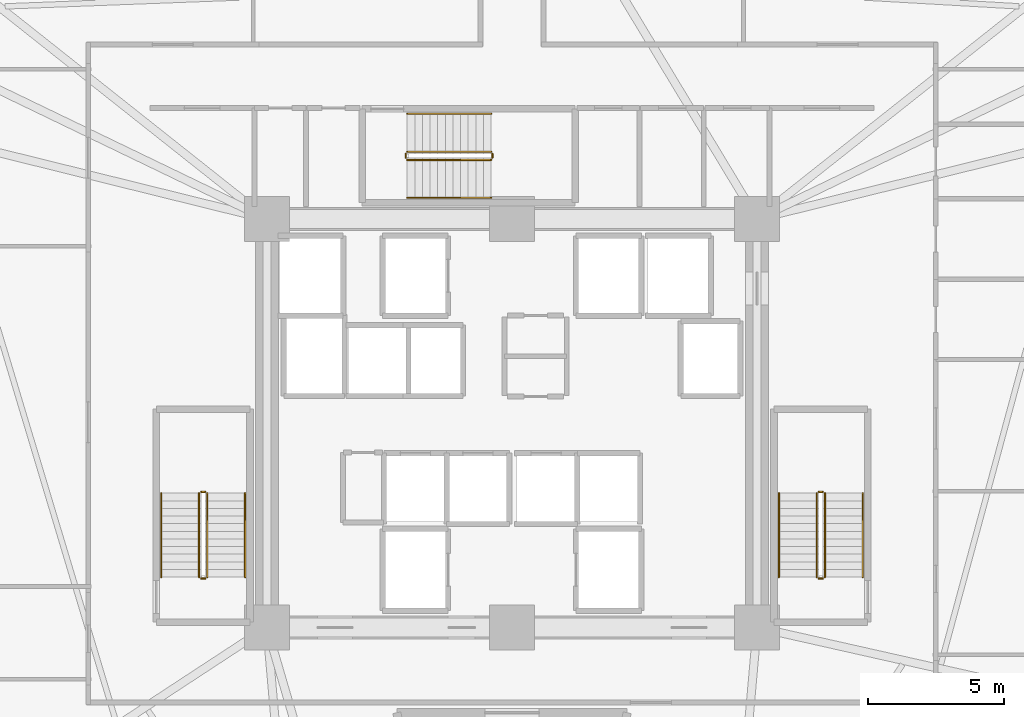
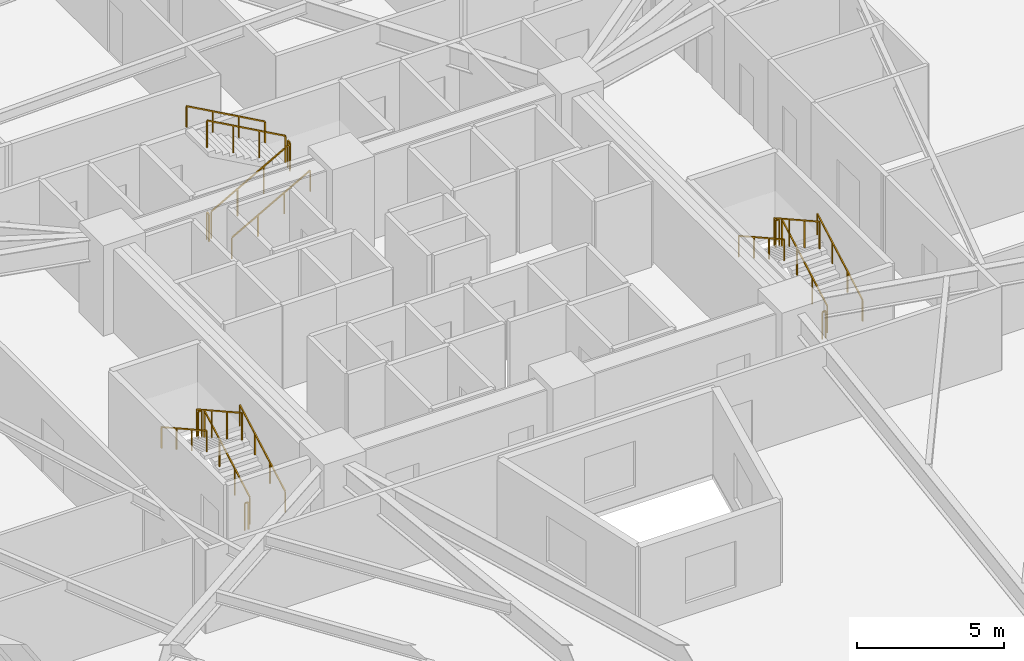
# One storey, part 8 of 8: 18 railings.
"""IFC4 building model written with IfcOpenShell, lengths in metres."""

from ifc_helpers import new_model, si_unit, direction, frame, origin, origin_2d, place, context, subcontext, project, spatial, rectangle, extrude, material, type_object, element, save


model = new_model("IFC4")

# Units and contexts
model_context = context("Model", 3, precision=1e-05, world=origin(), true_north=direction((0.0, 1.0)))
body_context = subcontext(model_context, "Body", "Model", "MODEL_VIEW")
ifc_project = project(units=[si_unit("LENGTHUNIT", "METRE"), si_unit("AREAUNIT", "SQUARE_METRE"), si_unit("VOLUMEUNIT", "CUBIC_METRE"), si_unit("PLANEANGLEUNIT", "RADIAN"), si_unit("MASSUNIT", "GRAM", prefix="KILO")], contexts=[model_context])

# Site, building, storey
site_placement = place(None, origin())
site = spatial("IfcSite", under=ifc_project, at=site_placement, CompositionType="ELEMENT")
building_placement = place(site_placement, origin())
building = spatial("IfcBuilding", under=site, at=building_placement, Name="Liaohun Quay Tower", CompositionType="ELEMENT")
storey_placement = place(building_placement, frame((0.0, 0.0, 89.25)))
storey = spatial("IfcBuildingStorey", under=building, at=storey_placement, Name="L23", CompositionType="ELEMENT", Elevation=89.25)

# Railings
ifc_material_1 = material(Name="Painted tubular steel", Category="steel")
railing_type_1 = type_object("IfcRailingType", Name="RLG-GUARD-STR", PredefinedType="GUARDRAIL", material=ifc_material_1)
railing_1_placement = place(storey_placement, frame((48.81005859375, 48.35009765625, 0.15625)))
element("IfcRailing", 1, at=railing_1_placement, inside=storey, type_object=railing_type_1, Name="L23 ST-1 stair guard 1", PredefinedType="GUARDRAIL", context=body_context, shape_type="SweptSolid", body=[
    extrude(rectangle(XDim=0.048095703125, YDim=0.048095703125, at=origin_2d()), frame((0.0, 0.0, 1.1259765625), z_axis=(0.0, 0.873225103656, 0.487317061414), x_axis=(-1.0, 0.0, 0.0)), (0.0, 0.0, 1.0), 3.52685546875),
    extrude(rectangle(XDim=0.0419921875, YDim=0.0419921875, at=origin_2d()), origin(), (0.0, 0.0, 1.0), 1.101806640625),
    extrude(rectangle(XDim=0.0419921875, YDim=0.0419921875, at=origin_2d()), frame((0.0, 1.026611328125, 0.572998046875)), (0.0, 0.0, 1.0), 1.101806640625),
    extrude(rectangle(XDim=0.0419921875, YDim=0.0419921875, at=origin_2d()), frame((0.0, 2.05322265625, 1.145751953125)), (0.0, 0.0, 1.0), 1.101806640625),
    extrude(rectangle(XDim=0.0419921875, YDim=0.0419921875, at=origin_2d()), frame((0.0, 3.079833984375, 1.71875)), (0.0, 0.0, 1.0), 1.101806640625),
])
railing_2_placement = place(storey_placement, frame((48.72998046875, 51.47998046875, 1.875)))
element("IfcRailing", 2, at=railing_2_placement, inside=storey, type_object=railing_type_1, Name="L23 ST-1 stair guard 2", PredefinedType="GUARDRAIL", context=body_context, shape_type="SweptSolid", body=[
    extrude(rectangle(XDim=0.048095703125, YDim=0.048095703125, at=origin_2d()), frame((0.0, 0.0, 1.1259765625), z_axis=(-1.0, 0.0, 0.0), x_axis=(0.0, -1.0, 0.0)), (0.0, 0.0, 1.0), 0.139892578125),
    extrude(rectangle(XDim=0.0419921875, YDim=0.0419921875, at=origin_2d()), origin(), (0.0, 0.0, 1.0), 1.101806640625),
    extrude(rectangle(XDim=0.0419921875, YDim=0.0419921875, at=origin_2d()), frame((-0.139892578125, 0.0, 0.0)), (0.0, 0.0, 1.0), 1.101806640625),
])
railing_3_placement = place(storey_placement, frame((48.510009765625, 51.429931640625, 2.03125)))
element("IfcRailing", 3, at=railing_3_placement, inside=storey, type_object=railing_type_1, Name="L23 ST-1 stair guard 3", PredefinedType="GUARDRAIL", context=body_context, shape_type="SweptSolid", body=[
    extrude(rectangle(XDim=0.048095703125, YDim=0.048095703125, at=origin_2d()), frame((0.0, 0.0, 1.1259765625), z_axis=(0.0, -0.873225103656, 0.487317061414), x_axis=(1.0, 0.0, 0.0)), (0.0, 0.0, 1.0), 3.52685546875),
    extrude(rectangle(XDim=0.0419921875, YDim=0.0419921875, at=origin_2d()), origin(), (0.0, 0.0, 1.0), 1.101806640625),
    extrude(rectangle(XDim=0.0419921875, YDim=0.0419921875, at=origin_2d()), frame((0.0, -1.026611328125, 0.572998046875)), (0.0, 0.0, 1.0), 1.101806640625),
    extrude(rectangle(XDim=0.0419921875, YDim=0.0419921875, at=origin_2d()), frame((0.0, -2.05322265625, 1.145751953125)), (0.0, 0.0, 1.0), 1.101806640625),
    extrude(rectangle(XDim=0.0419921875, YDim=0.0419921875, at=origin_2d()), frame((0.0, -3.079833984375, 1.71875)), (0.0, 0.0, 1.0), 1.101806640625),
])
railing_4_placement = place(storey_placement, frame((48.72998046875, 48.300048828125, 0.0)))
element("IfcRailing", 4, at=railing_4_placement, inside=storey, type_object=railing_type_1, Name="L23 ST-1 stair guard 4", PredefinedType="GUARDRAIL", context=body_context, shape_type="SweptSolid", body=[
    extrude(rectangle(XDim=0.048095703125, YDim=0.048095703125, at=origin_2d()), frame((0.0, 0.0, 1.1259765625), z_axis=(-1.0, 0.0, 0.0), x_axis=(0.0, -1.0, 0.0)), (0.0, 0.0, 1.0), 0.139892578125),
    extrude(rectangle(XDim=0.0419921875, YDim=0.0419921875, at=origin_2d()), origin(), (0.0, 0.0, 1.0), 1.101806640625),
    extrude(rectangle(XDim=0.0419921875, YDim=0.0419921875, at=origin_2d()), frame((-0.139892578125, 0.0, 0.0)), (0.0, 0.0, 1.0), 1.101806640625),
])
railing_5_placement = place(storey_placement, frame((71.489990234375, 48.35009765625, 0.15625)))
element("IfcRailing", 5, at=railing_5_placement, inside=storey, type_object=railing_type_1, Name="L23 ST-2 stair guard 1", PredefinedType="GUARDRAIL", context=body_context, shape_type="SweptSolid", body=[
    extrude(rectangle(XDim=0.048095703125, YDim=0.048095703125, at=origin_2d()), frame((0.0, 0.0, 1.1259765625), z_axis=(0.0, 0.873225103656, 0.487317061414), x_axis=(-1.0, 0.0, 0.0)), (0.0, 0.0, 1.0), 3.52685546875),
    extrude(rectangle(XDim=0.0419921875, YDim=0.0419921875, at=origin_2d()), origin(), (0.0, 0.0, 1.0), 1.101806640625),
    extrude(rectangle(XDim=0.0419921875, YDim=0.0419921875, at=origin_2d()), frame((0.0, 1.026611328125, 0.572998046875)), (0.0, 0.0, 1.0), 1.101806640625),
    extrude(rectangle(XDim=0.0419921875, YDim=0.0419921875, at=origin_2d()), frame((0.0, 2.05322265625, 1.145751953125)), (0.0, 0.0, 1.0), 1.101806640625),
    extrude(rectangle(XDim=0.0419921875, YDim=0.0419921875, at=origin_2d()), frame((0.0, 3.079833984375, 1.71875)), (0.0, 0.0, 1.0), 1.101806640625),
])
railing_6_placement = place(storey_placement, frame((71.409912109375, 51.47998046875, 1.875)))
element("IfcRailing", 6, at=railing_6_placement, inside=storey, type_object=railing_type_1, Name="L23 ST-2 stair guard 2", PredefinedType="GUARDRAIL", context=body_context, shape_type="SweptSolid", body=[
    extrude(rectangle(XDim=0.048095703125, YDim=0.048095703125, at=origin_2d()), frame((0.0, 0.0, 1.1259765625), z_axis=(-1.0, 0.0, 0.0), x_axis=(0.0, -1.0, 0.0)), (0.0, 0.0, 1.0), 0.139892578125),
    extrude(rectangle(XDim=0.0419921875, YDim=0.0419921875, at=origin_2d()), origin(), (0.0, 0.0, 1.0), 1.101806640625),
    extrude(rectangle(XDim=0.0419921875, YDim=0.0419921875, at=origin_2d()), frame((-0.139892578125, 0.0, 0.0)), (0.0, 0.0, 1.0), 1.101806640625),
])
railing_7_placement = place(storey_placement, frame((71.18994140625, 51.429931640625, 2.03125)))
element("IfcRailing", 7, at=railing_7_placement, inside=storey, type_object=railing_type_1, Name="L23 ST-2 stair guard 3", PredefinedType="GUARDRAIL", context=body_context, shape_type="SweptSolid", body=[
    extrude(rectangle(XDim=0.048095703125, YDim=0.048095703125, at=origin_2d()), frame((0.0, 0.0, 1.1259765625), z_axis=(0.0, -0.873225103656, 0.487317061414), x_axis=(1.0, 0.0, 0.0)), (0.0, 0.0, 1.0), 3.52685546875),
    extrude(rectangle(XDim=0.0419921875, YDim=0.0419921875, at=origin_2d()), origin(), (0.0, 0.0, 1.0), 1.101806640625),
    extrude(rectangle(XDim=0.0419921875, YDim=0.0419921875, at=origin_2d()), frame((0.0, -1.026611328125, 0.572998046875)), (0.0, 0.0, 1.0), 1.101806640625),
    extrude(rectangle(XDim=0.0419921875, YDim=0.0419921875, at=origin_2d()), frame((0.0, -2.05322265625, 1.145751953125)), (0.0, 0.0, 1.0), 1.101806640625),
    extrude(rectangle(XDim=0.0419921875, YDim=0.0419921875, at=origin_2d()), frame((0.0, -3.079833984375, 1.71875)), (0.0, 0.0, 1.0), 1.101806640625),
])
railing_8_placement = place(storey_placement, frame((71.409912109375, 48.300048828125, 0.0)))
element("IfcRailing", 8, at=railing_8_placement, inside=storey, type_object=railing_type_1, Name="L23 ST-2 stair guard 4", PredefinedType="GUARDRAIL", context=body_context, shape_type="SweptSolid", body=[
    extrude(rectangle(XDim=0.048095703125, YDim=0.048095703125, at=origin_2d()), frame((0.0, 0.0, 1.1259765625), z_axis=(-1.0, 0.0, 0.0), x_axis=(0.0, -1.0, 0.0)), (0.0, 0.0, 1.0), 0.139892578125),
    extrude(rectangle(XDim=0.0419921875, YDim=0.0419921875, at=origin_2d()), origin(), (0.0, 0.0, 1.0), 1.101806640625),
    extrude(rectangle(XDim=0.0419921875, YDim=0.0419921875, at=origin_2d()), frame((-0.139892578125, 0.0, 0.0)), (0.0, 0.0, 1.0), 1.101806640625),
])
railing_9_placement = place(storey_placement, frame((56.14990234375, 63.669921875, 0.15625)))
element("IfcRailing", 9, at=railing_9_placement, inside=storey, type_object=railing_type_1, Name="L23 ST-3 stair guard 1", PredefinedType="GUARDRAIL", context=body_context, shape_type="SweptSolid", body=[
    extrude(rectangle(XDim=0.048095703125, YDim=0.048095703125, at=origin_2d()), frame((0.0, 0.0, 1.1259765625), z_axis=(0.873241540666, 0.0, 0.487287606713), x_axis=(0.0, 1.0, 0.0)), (0.0, 0.0, 1.0), 3.527099609375),
    extrude(rectangle(XDim=0.0419921875, YDim=0.0419921875, at=origin_2d()), origin(), (0.0, 0.0, 1.0), 1.101806640625),
    extrude(rectangle(XDim=0.0419921875, YDim=0.0419921875, at=origin_2d()), frame((1.026611328125, 0.0, 0.572998046875)), (0.0, 0.0, 1.0), 1.101806640625),
    extrude(rectangle(XDim=0.0419921875, YDim=0.0419921875, at=origin_2d()), frame((2.053466796875, 0.0, 1.145751953125)), (0.0, 0.0, 1.0), 1.101806640625),
    extrude(rectangle(XDim=0.0419921875, YDim=0.0419921875, at=origin_2d()), frame((3.080078125, 0.0, 1.71875)), (0.0, 0.0, 1.0), 1.101806640625),
])
railing_10_placement = place(storey_placement, frame((59.280029296875, 63.75, 1.875)))
element("IfcRailing", 10, at=railing_10_placement, inside=storey, type_object=railing_type_1, Name="L23 ST-3 stair guard 2", PredefinedType="GUARDRAIL", context=body_context, shape_type="SweptSolid", body=[
    extrude(rectangle(XDim=0.048095703125, YDim=0.048095703125, at=origin_2d()), frame((0.0, 0.0, 1.1259765625), z_axis=(0.0, 1.0, 0.0), x_axis=(-1.0, 0.0, 0.0)), (0.0, 0.0, 1.0), 0.139892578125),
    extrude(rectangle(XDim=0.0419921875, YDim=0.0419921875, at=origin_2d()), origin(), (0.0, 0.0, 1.0), 1.101806640625),
    extrude(rectangle(XDim=0.0419921875, YDim=0.0419921875, at=origin_2d()), frame((0.0, 0.139892578125, 0.0)), (0.0, 0.0, 1.0), 1.101806640625),
])
railing_11_placement = place(storey_placement, frame((59.22998046875, 63.969970703125, 2.03125)))
element("IfcRailing", 11, at=railing_11_placement, inside=storey, type_object=railing_type_1, Name="L23 ST-3 stair guard 3", PredefinedType="GUARDRAIL", context=body_context, shape_type="SweptSolid", body=[
    extrude(rectangle(XDim=0.048095703125, YDim=0.048095703125, at=origin_2d()), frame((0.0, 0.0, 1.1259765625), z_axis=(-0.873241540666, 0.0, 0.487287606713), x_axis=(0.0, -1.0, 0.0)), (0.0, 0.0, 1.0), 3.527099609375),
    extrude(rectangle(XDim=0.0419921875, YDim=0.0419921875, at=origin_2d()), origin(), (0.0, 0.0, 1.0), 1.101806640625),
    extrude(rectangle(XDim=0.0419921875, YDim=0.0419921875, at=origin_2d()), frame((-1.026611328125, 0.0, 0.572998046875)), (0.0, 0.0, 1.0), 1.101806640625),
    extrude(rectangle(XDim=0.0419921875, YDim=0.0419921875, at=origin_2d()), frame((-2.053466796875, 0.0, 1.145751953125)), (0.0, 0.0, 1.0), 1.101806640625),
    extrude(rectangle(XDim=0.0419921875, YDim=0.0419921875, at=origin_2d()), frame((-3.080078125, 0.0, 1.71875)), (0.0, 0.0, 1.0), 1.101806640625),
])
railing_12_placement = place(storey_placement, frame((56.10009765625, 63.75, 0.0)))
element("IfcRailing", 12, at=railing_12_placement, inside=storey, type_object=railing_type_1, Name="L23 ST-3 stair guard 4", PredefinedType="GUARDRAIL", context=body_context, shape_type="SweptSolid", body=[
    extrude(rectangle(XDim=0.048095703125, YDim=0.048095703125, at=origin_2d()), frame((0.0, 0.0, 1.1259765625), z_axis=(0.0, 1.0, 0.0), x_axis=(-1.0, 0.0, 0.0)), (0.0, 0.0, 1.0), 0.139892578125),
    extrude(rectangle(XDim=0.0419921875, YDim=0.0419921875, at=origin_2d()), origin(), (0.0, 0.0, 1.0), 1.101806640625),
    extrude(rectangle(XDim=0.0419921875, YDim=0.0419921875, at=origin_2d()), frame((0.0, 0.139892578125, 0.0)), (0.0, 0.0, 1.0), 1.101806640625),
])
ifc_material_2 = material(Name="Brushed stainless steel", Category="steel")
railing_type_2 = type_object("IfcRailingType", Name="RLG-HND-STR", PredefinedType="HANDRAIL", material=ifc_material_2)
railing_13_placement = place(storey_placement, frame((50.199951171875, 48.35009765625, 0.15625)))
element("IfcRailing", 13, at=railing_13_placement, inside=storey, type_object=railing_type_2, Name="L23 ST-1 stair handrail 1", PredefinedType="HANDRAIL", context=body_context, shape_type="SweptSolid", body=[
    extrude(rectangle(XDim=0.048095703125, YDim=0.048095703125, at=origin_2d()), frame((0.0, 0.0, 0.8759765625), z_axis=(0.0, 0.873225103656, 0.487317061414), x_axis=(-1.0, 0.0, 0.0)), (0.0, 0.0, 1.0), 3.52685546875),
    extrude(rectangle(XDim=0.0419921875, YDim=0.0419921875, at=origin_2d()), origin(), (0.0, 0.0, 1.0), 0.851806640625),
    extrude(rectangle(XDim=0.0419921875, YDim=0.0419921875, at=origin_2d()), frame((0.0, 1.026611328125, 0.572998046875)), (0.0, 0.0, 1.0), 0.851806640625),
    extrude(rectangle(XDim=0.0419921875, YDim=0.0419921875, at=origin_2d()), frame((0.0, 2.05322265625, 1.145751953125)), (0.0, 0.0, 1.0), 0.851806640625),
    extrude(rectangle(XDim=0.0419921875, YDim=0.0419921875, at=origin_2d()), frame((0.0, 3.079833984375, 1.71875)), (0.0, 0.0, 1.0), 0.851806640625),
])
railing_14_placement = place(storey_placement, frame((47.1201171875, 51.429931640625, 2.03125)))
element("IfcRailing", 14, at=railing_14_placement, inside=storey, type_object=railing_type_2, Name="L23 ST-1 stair handrail 2", PredefinedType="HANDRAIL", context=body_context, shape_type="SweptSolid", body=[
    extrude(rectangle(XDim=0.048095703125, YDim=0.048095703125, at=origin_2d()), frame((0.0, 0.0, 0.8759765625), z_axis=(0.0, -0.873225103656, 0.487317061414), x_axis=(1.0, 0.0, 0.0)), (0.0, 0.0, 1.0), 3.52685546875),
    extrude(rectangle(XDim=0.0419921875, YDim=0.0419921875, at=origin_2d()), origin(), (0.0, 0.0, 1.0), 0.851806640625),
    extrude(rectangle(XDim=0.0419921875, YDim=0.0419921875, at=origin_2d()), frame((0.0, -1.026611328125, 0.572998046875)), (0.0, 0.0, 1.0), 0.851806640625),
    extrude(rectangle(XDim=0.0419921875, YDim=0.0419921875, at=origin_2d()), frame((0.0, -2.05322265625, 1.145751953125)), (0.0, 0.0, 1.0), 0.851806640625),
    extrude(rectangle(XDim=0.0419921875, YDim=0.0419921875, at=origin_2d()), frame((0.0, -3.079833984375, 1.71875)), (0.0, 0.0, 1.0), 0.851806640625),
])
railing_15_placement = place(storey_placement, frame((72.8798828125, 48.35009765625, 0.15625)))
element("IfcRailing", 15, at=railing_15_placement, inside=storey, type_object=railing_type_2, Name="L23 ST-2 stair handrail 1", PredefinedType="HANDRAIL", context=body_context, shape_type="SweptSolid", body=[
    extrude(rectangle(XDim=0.048095703125, YDim=0.048095703125, at=origin_2d()), frame((0.0, 0.0, 0.8759765625), z_axis=(0.0, 0.873225103656, 0.487317061414), x_axis=(-1.0, 0.0, 0.0)), (0.0, 0.0, 1.0), 3.52685546875),
    extrude(rectangle(XDim=0.0419921875, YDim=0.0419921875, at=origin_2d()), origin(), (0.0, 0.0, 1.0), 0.851806640625),
    extrude(rectangle(XDim=0.0419921875, YDim=0.0419921875, at=origin_2d()), frame((0.0, 1.026611328125, 0.572998046875)), (0.0, 0.0, 1.0), 0.851806640625),
    extrude(rectangle(XDim=0.0419921875, YDim=0.0419921875, at=origin_2d()), frame((0.0, 2.05322265625, 1.145751953125)), (0.0, 0.0, 1.0), 0.851806640625),
    extrude(rectangle(XDim=0.0419921875, YDim=0.0419921875, at=origin_2d()), frame((0.0, 3.079833984375, 1.71875)), (0.0, 0.0, 1.0), 0.851806640625),
])
railing_16_placement = place(storey_placement, frame((69.800048828125, 51.429931640625, 2.03125)))
element("IfcRailing", 16, at=railing_16_placement, inside=storey, type_object=railing_type_2, Name="L23 ST-2 stair handrail 2", PredefinedType="HANDRAIL", context=body_context, shape_type="SweptSolid", body=[
    extrude(rectangle(XDim=0.048095703125, YDim=0.048095703125, at=origin_2d()), frame((0.0, 0.0, 0.8759765625), z_axis=(0.0, -0.873225103656, 0.487317061414), x_axis=(1.0, 0.0, 0.0)), (0.0, 0.0, 1.0), 3.52685546875),
    extrude(rectangle(XDim=0.0419921875, YDim=0.0419921875, at=origin_2d()), origin(), (0.0, 0.0, 1.0), 0.851806640625),
    extrude(rectangle(XDim=0.0419921875, YDim=0.0419921875, at=origin_2d()), frame((0.0, -1.026611328125, 0.572998046875)), (0.0, 0.0, 1.0), 0.851806640625),
    extrude(rectangle(XDim=0.0419921875, YDim=0.0419921875, at=origin_2d()), frame((0.0, -2.05322265625, 1.145751953125)), (0.0, 0.0, 1.0), 0.851806640625),
    extrude(rectangle(XDim=0.0419921875, YDim=0.0419921875, at=origin_2d()), frame((0.0, -3.079833984375, 1.71875)), (0.0, 0.0, 1.0), 0.851806640625),
])
railing_17_placement = place(storey_placement, frame((56.14990234375, 62.280029296875, 0.15625)))
element("IfcRailing", 17, at=railing_17_placement, inside=storey, type_object=railing_type_2, Name="L23 ST-3 stair handrail 1", PredefinedType="HANDRAIL", context=body_context, shape_type="SweptSolid", body=[
    extrude(rectangle(XDim=0.048095703125, YDim=0.048095703125, at=origin_2d()), frame((0.0, 0.0, 0.8759765625), z_axis=(0.873241540666, 0.0, 0.487287606713), x_axis=(0.0, 1.0, 0.0)), (0.0, 0.0, 1.0), 3.527099609375),
    extrude(rectangle(XDim=0.0419921875, YDim=0.0419921875, at=origin_2d()), origin(), (0.0, 0.0, 1.0), 0.851806640625),
    extrude(rectangle(XDim=0.0419921875, YDim=0.0419921875, at=origin_2d()), frame((1.026611328125, 0.0, 0.572998046875)), (0.0, 0.0, 1.0), 0.851806640625),
    extrude(rectangle(XDim=0.0419921875, YDim=0.0419921875, at=origin_2d()), frame((2.053466796875, 0.0, 1.145751953125)), (0.0, 0.0, 1.0), 0.851806640625),
    extrude(rectangle(XDim=0.0419921875, YDim=0.0419921875, at=origin_2d()), frame((3.080078125, 0.0, 1.71875)), (0.0, 0.0, 1.0), 0.851806640625),
])
railing_18_placement = place(storey_placement, frame((59.22998046875, 65.360107421875, 2.03125)))
element("IfcRailing", 18, at=railing_18_placement, inside=storey, type_object=railing_type_2, Name="L23 ST-3 stair handrail 2", PredefinedType="HANDRAIL", context=body_context, shape_type="SweptSolid", body=[
    extrude(rectangle(XDim=0.048095703125, YDim=0.048095703125, at=origin_2d()), frame((0.0, 0.0, 0.8759765625), z_axis=(-0.873241540666, 0.0, 0.487287606713), x_axis=(0.0, -1.0, 0.0)), (0.0, 0.0, 1.0), 3.527099609375),
    extrude(rectangle(XDim=0.0419921875, YDim=0.0419921875, at=origin_2d()), origin(), (0.0, 0.0, 1.0), 0.851806640625),
    extrude(rectangle(XDim=0.0419921875, YDim=0.0419921875, at=origin_2d()), frame((-1.026611328125, 0.0, 0.572998046875)), (0.0, 0.0, 1.0), 0.851806640625),
    extrude(rectangle(XDim=0.0419921875, YDim=0.0419921875, at=origin_2d()), frame((-2.053466796875, 0.0, 1.145751953125)), (0.0, 0.0, 1.0), 0.851806640625),
    extrude(rectangle(XDim=0.0419921875, YDim=0.0419921875, at=origin_2d()), frame((-3.080078125, 0.0, 1.71875)), (0.0, 0.0, 1.0), 0.851806640625),
])

save(model, "model.ifc")
